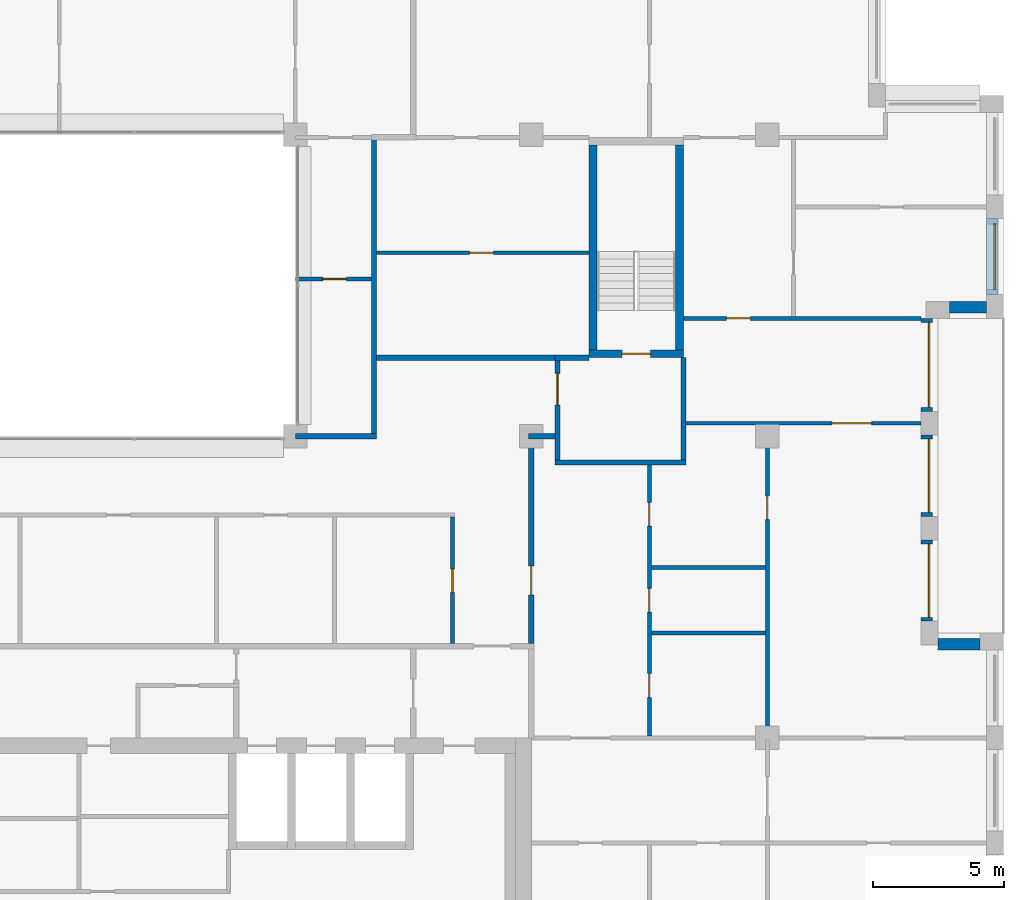
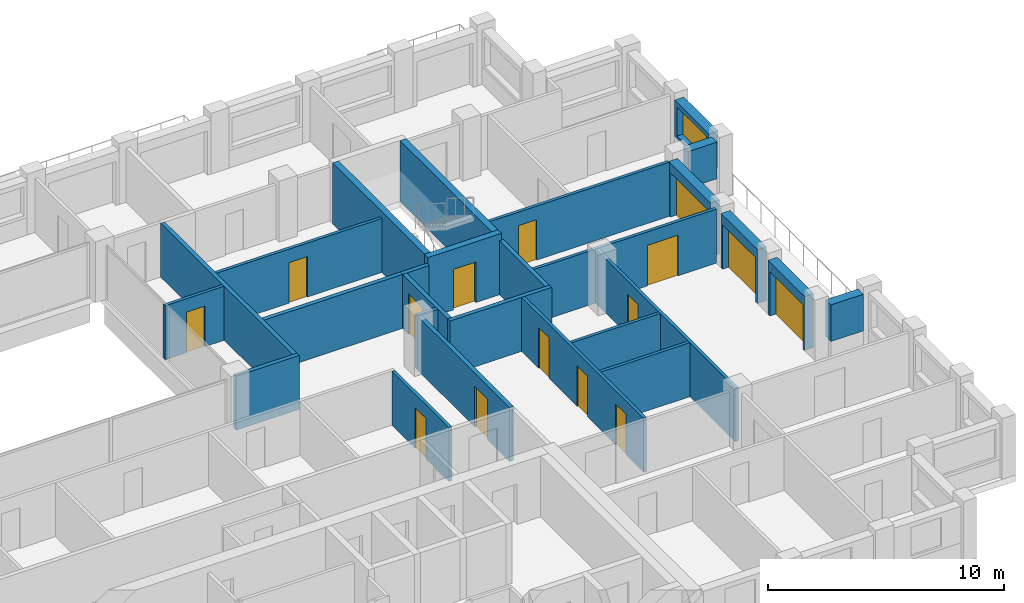
# One storey, part 12 of 15: 27 walls, 15 doors, 1 window, 16 openings.
"""IFC4 building model written with IfcOpenShell, lengths in metres."""

from ifc_helpers import new_model, si_unit, direction, frame, frame_2d, origin, place, context, subcontext, project, spatial, rectangle, extrude, material, layer, layer_set, type_object, element, fill, save


model = new_model("IFC4")

# Units and contexts
model_context = context("Model", 3, precision=1e-05, world=origin(), true_north=direction((0.0, 1.0)))
body_context = subcontext(model_context, "Body", "Model", "MODEL_VIEW")
ifc_project = project(units=[si_unit("LENGTHUNIT", "METRE"), si_unit("AREAUNIT", "SQUARE_METRE"), si_unit("VOLUMEUNIT", "CUBIC_METRE"), si_unit("PLANEANGLEUNIT", "RADIAN"), si_unit("MASSUNIT", "GRAM", prefix="KILO")], contexts=[model_context])

# Site, building, storey
site_placement = place(None, origin())
site = spatial("IfcSite", under=ifc_project, at=site_placement, CompositionType="ELEMENT")
building_placement = place(site_placement, origin())
building = spatial("IfcBuilding", under=site, at=building_placement, Name="Brigalow Station Residences", CompositionType="ELEMENT")
storey_placement = place(building_placement, frame((0.0, 0.0, 232.64990234375)))
storey = spatial("IfcBuildingStorey", under=building, at=storey_placement, Name="L67", CompositionType="ELEMENT", Elevation=232.64990234375)

# Wall
ifc_material_1 = material(Name="Clay brick masonry", Category="masonry")
ifc_layer_1 = layer(ifc_material_1, 0.449951171875)
ifc_layer_set_1 = layer_set([ifc_layer_1], Name="BRICK INFILL WALL 450")
wall_type_1 = type_object("IfcWallType", Name="BRICK INFILL WALL 450", PredefinedType="SOLIDWALL", material=ifc_layer_set_1)
wall_1_placement = place(storey_placement, frame((71.10009765625, 16.074951171875, 0.900146484375), z_axis=(0.0, 0.0, 1.0), x_axis=(-1.0, 0.0, 0.0)))
element("IfcWall", 1, at=wall_1_placement, inside=storey, type_object=wall_type_1, Name="L67/ewall/W-L67-11", PredefinedType="SOLIDWALL", context=body_context, shape_type="SweptSolid", body=[
    extrude(rectangle(XDim=1.60009765625, YDim=0.449951171875, at=frame_2d((0.800048828125, 0.0))), origin(), (0.0, 0.0, 1.0), 1.89990234375),
])

# Wall, opening, door
wall_2_placement = place(storey_placement, frame((69.074951171875, 16.949951171875, 0.0), z_axis=(0.0, 0.0, 1.0), x_axis=(0.0, 1.0, 0.0)))
wall_2 = element("IfcWall", 2, at=wall_2_placement, inside=storey, type_object=wall_type_1, Name="L67/ewall/W-L67-12", PredefinedType="SOLIDWALL", context=body_context, shape_type="SweptSolid", body=[
    extrude(rectangle(XDim=3.10009765625, YDim=0.449951171875, at=frame_2d((1.550048828125, 0.0))), origin(), (0.0, 0.0, 1.0), 2.800048828125),
])
opening_1_placement = place(wall_2_placement, frame((0.14990234375, 0.0, 0.0)))
opening_1 = element("IfcOpeningElement", 3, at=opening_1_placement, cuts=wall_2, Name="Opening D-B2800", PredefinedType="OPENING", context=body_context, shape_type="SweptSolid", body=[
    extrude(rectangle(XDim=2.800048828125, YDim=2.300048828125, at=frame_2d((1.39990234375, 1.14990234375))), frame((0.0, 0.23486328125, 0.0), z_axis=(0.0, -1.0, 0.0), x_axis=(1.0, 0.0, 0.0)), (0.0, 0.0, 1.0), 0.469970703125),
])
ifc_material_2 = material(Name="Anodised aluminium frame with double glazing", Category="aluminium")
door_type_1 = type_object("IfcDoorType", Name="BALCONY SLIDING DOOR 2800x2300", OperationType="SLIDING_TO_LEFT", PredefinedType="DOOR", material=ifc_material_2)
door_1_placement = place(opening_1_placement, origin())
door_1 = element("IfcDoor", 4, at=door_1_placement, inside=storey, type_object=door_type_1, Name="L67/balcony-door/W-L67-12", OperationType="SLIDING_TO_LEFT", OverallHeight=2.300048828125, OverallWidth=2.800048828125, PredefinedType="DOOR", context=body_context, shape_type="SweptSolid", body=[
    extrude(rectangle(XDim=2.800048828125, YDim=2.300048828125, at=frame_2d((1.39990234375, 1.14990234375))), frame((0.0, -0.06982421875, 0.0), z_axis=(0.0, -1.0, 0.0), x_axis=(1.0, 0.0, 0.0)), (0.0, 0.0, 1.0), 0.050048828125),
])
fill(opening_1, door_1)

wall_3_placement = place(storey_placement, frame((69.074951171875, 20.949951171875, 0.0), z_axis=(0.0, 0.0, 1.0), x_axis=(0.0, 1.0, 0.0)))
wall_3 = element("IfcWall", 5, at=wall_3_placement, inside=storey, type_object=wall_type_1, Name="L67/ewall/W-L67-13", PredefinedType="SOLIDWALL", context=body_context, shape_type="SweptSolid", body=[
    extrude(rectangle(XDim=3.10009765625, YDim=0.449951171875, at=frame_2d((1.550048828125, 0.0))), origin(), (0.0, 0.0, 1.0), 2.800048828125),
])
opening_2_placement = place(wall_3_placement, frame((0.14990234375, 0.0, 0.0)))
opening_2 = element("IfcOpeningElement", 6, at=opening_2_placement, cuts=wall_3, Name="Opening D-B2800", PredefinedType="OPENING", context=body_context, shape_type="SweptSolid", body=[
    extrude(rectangle(XDim=2.800048828125, YDim=2.300048828125, at=frame_2d((1.39990234375, 1.14990234375))), frame((0.0, 0.23486328125, 0.0), z_axis=(0.0, -1.0, 0.0), x_axis=(1.0, 0.0, 0.0)), (0.0, 0.0, 1.0), 0.469970703125),
])
door_2_placement = place(opening_2_placement, origin())
door_2 = element("IfcDoor", 7, at=door_2_placement, inside=storey, type_object=door_type_1, Name="L67/balcony-door/W-L67-13", OperationType="SLIDING_TO_LEFT", OverallHeight=2.300048828125, OverallWidth=2.800048828125, PredefinedType="DOOR", context=body_context, shape_type="SweptSolid", body=[
    extrude(rectangle(XDim=2.800048828125, YDim=2.300048828125, at=frame_2d((1.39990234375, 1.14990234375))), frame((0.0, -0.06982421875, 0.0), z_axis=(0.0, -1.0, 0.0), x_axis=(1.0, 0.0, 0.0)), (0.0, 0.0, 1.0), 0.050048828125),
])
fill(opening_2, door_2)

wall_4_placement = place(storey_placement, frame((69.074951171875, 24.949951171875, 0.0), z_axis=(0.0, 0.0, 1.0), x_axis=(0.0, 1.0, 0.0)))
wall_4 = element("IfcWall", 8, at=wall_4_placement, inside=storey, type_object=wall_type_1, Name="L67/ewall/W-L67-14", PredefinedType="SOLIDWALL", context=body_context, shape_type="SweptSolid", body=[
    extrude(rectangle(XDim=3.550048828125, YDim=0.449951171875, at=frame_2d((1.77490234375, 0.0))), origin(), (0.0, 0.0, 1.0), 2.800048828125),
])
opening_3_placement = place(wall_4_placement, frame((0.14990234375, 0.0, 0.0)))
opening_3 = element("IfcOpeningElement", 9, at=opening_3_placement, cuts=wall_4, Name="Opening D-B3250", PredefinedType="OPENING", context=body_context, shape_type="SweptSolid", body=[
    extrude(rectangle(XDim=3.25, YDim=2.300048828125, at=frame_2d((1.625, 1.14990234375))), frame((0.0, 0.23486328125, 0.0), z_axis=(0.0, -1.0, 0.0), x_axis=(1.0, 0.0, 0.0)), (0.0, 0.0, 1.0), 0.469970703125),
])
ifc_material_3 = material(Name="Anodised aluminium frame with double glazing", Category="aluminium")
door_type_2 = type_object("IfcDoorType", Name="BALCONY SLIDING DOOR 3250x2300", OperationType="SLIDING_TO_LEFT", PredefinedType="DOOR", material=ifc_material_3)
door_3_placement = place(opening_3_placement, origin())
door_3 = element("IfcDoor", 10, at=door_3_placement, inside=storey, type_object=door_type_2, Name="L67/balcony-door/W-L67-14", OperationType="SLIDING_TO_LEFT", OverallHeight=2.300048828125, OverallWidth=3.25, PredefinedType="DOOR", context=body_context, shape_type="SweptSolid", body=[
    extrude(rectangle(XDim=3.25, YDim=2.300048828125, at=frame_2d((1.625, 1.14990234375))), frame((0.0, -0.06982421875, 0.0), z_axis=(0.0, -1.0, 0.0), x_axis=(1.0, 0.0, 0.0)), (0.0, 0.0, 1.0), 0.050048828125),
])
fill(opening_3, door_3)

# Wall
wall_5_placement = place(storey_placement, frame((69.949951171875, 28.925048828125, 0.900146484375), z_axis=(0.0, 0.0, 1.0), x_axis=(1.0, 0.0, 0.0)))
element("IfcWall", 11, at=wall_5_placement, inside=storey, type_object=wall_type_1, Name="L67/ewall/W-L67-15", PredefinedType="SOLIDWALL", context=body_context, shape_type="SweptSolid", body=[
    extrude(rectangle(XDim=1.400146484375, YDim=0.449951171875, at=frame_2d((0.7001953125, 0.0))), origin(), (0.0, 0.0, 1.0), 1.89990234375),
])

# Wall, opening, window
wall_6_placement = place(storey_placement, frame((71.574951171875, 29.39990234375, 0.900146484375), z_axis=(0.0, 0.0, 1.0), x_axis=(0.0, 1.0, 0.0)))
wall_6 = element("IfcWall", 12, at=wall_6_placement, inside=storey, type_object=wall_type_1, Name="L67/ewall/W-L67-16", PredefinedType="SOLIDWALL", context=body_context, shape_type="SweptSolid", body=[
    extrude(rectangle(XDim=2.900146484375, YDim=0.449951171875, at=frame_2d((1.4501953125, 0.0))), origin(), (0.0, 0.0, 1.0), 1.89990234375),
])
opening_4_placement = place(wall_6_placement, frame((0.199951171875, 0.0, 0.14990234375)))
opening_4 = element("IfcOpeningElement", 13, at=opening_4_placement, cuts=wall_6, Name="Opening WT-5", PredefinedType="OPENING", context=body_context, shape_type="SweptSolid", body=[
    extrude(rectangle(XDim=2.5, YDim=1.5, at=frame_2d((1.25, 0.75))), frame((0.0, 0.23486328125, 0.0), z_axis=(0.0, -1.0, 0.0), x_axis=(1.0, 0.0, 0.0)), (0.0, 0.0, 1.0), 0.469970703125),
])
ifc_material_4 = material(Name="Anodised aluminium frame with double glazing", Category="aluminium")
window_type = type_object("IfcWindowType", Name="WINDOW 2500x1500", PartitioningType="SINGLE_PANEL", PredefinedType="WINDOW", material=ifc_material_4)
window_placement = place(opening_4_placement, origin())
window = element("IfcWindow", 14, at=window_placement, inside=storey, type_object=window_type, Name="L67/window/W-L67-16", OverallHeight=1.5, OverallWidth=2.5, PartitioningType="SINGLE_PANEL", PredefinedType="WINDOW", context=body_context, shape_type="SweptSolid", body=[
    extrude(rectangle(XDim=2.5, YDim=1.5, at=frame_2d((1.25, 0.75))), frame((0.0, -0.06494140625, 0.0), z_axis=(0.0, -1.0, 0.0), x_axis=(1.0, 0.0, 0.0)), (0.0, 0.0, 1.0), 0.06005859375),
])
fill(opening_4, window)

# Wall, opening, door
ifc_material_5 = material(Name="Concrete C50", Category="concrete")
ifc_layer_2 = layer(ifc_material_5, 0.300048828125)
ifc_layer_set_2 = layer_set([ifc_layer_2], Name="CORE SHEAR WALL 300 C50")
wall_type_2 = type_object("IfcWallType", Name="CORE SHEAR WALL 300 C50", PredefinedType="SHEAR", material=ifc_layer_set_2)
wall_7_placement = place(storey_placement, frame((56.199951171875, 27.14990234375, 0.0), z_axis=(0.0, 0.0, 1.0), x_axis=(1.0, 0.0, 0.0)))
wall_7 = element("IfcWall", 15, at=wall_7_placement, inside=storey, type_object=wall_type_2, Name="CORE WALL ST-S3-S L67", PredefinedType="SHEAR", context=body_context, shape_type="SweptSolid", body=[
    extrude(rectangle(XDim=3.60009765625, YDim=0.300048828125, at=frame_2d((1.800048828125, 0.0))), origin(), (0.0, 0.0, 1.0), 3.150146484375),
])
opening_5_placement = place(wall_7_placement, frame((1.25, 0.0, 0.0)))
opening_5 = element("IfcOpeningElement", 16, at=opening_5_placement, cuts=wall_7, Name="Opening D-5018", PredefinedType="OPENING", context=body_context, shape_type="SweptSolid", body=[
    extrude(rectangle(XDim=1.10009765625, YDim=2.10009765625, at=frame_2d((0.550048828125, 1.050048828125))), frame((0.0, 0.16015625, 0.0), z_axis=(0.0, -1.0, 0.0), x_axis=(1.0, 0.0, 0.0)), (0.0, 0.0, 1.0), 0.320068359375),
])
ifc_material_6 = material(Name="Steel fire door leaf in steel frame", Category="steel")
door_type_3 = type_object("IfcDoorType", Name="STAIR DOOR 1100 x 2100 FD60S", OperationType="SINGLE_SWING_LEFT", PredefinedType="DOOR", material=ifc_material_6)
door_4_placement = place(opening_5_placement, origin())
door_4 = element("IfcDoor", 17, at=door_4_placement, inside=storey, type_object=door_type_3, Name="D-5018", OperationType="SINGLE_SWING_LEFT", OverallHeight=2.10009765625, OverallWidth=1.10009765625, PredefinedType="DOOR", context=body_context, shape_type="SweptSolid", body=[
    extrude(rectangle(XDim=1.10009765625, YDim=2.10009765625, at=frame_2d((0.550048828125, 1.050048828125))), frame((0.0, 0.02490234375, 0.0), z_axis=(0.0, -1.0, 0.0), x_axis=(1.0, 0.0, 0.0)), (0.0, 0.0, 1.0), 0.050048828125),
])
fill(opening_5, door_4)

# Walls
for number, where, z_axis, x_axis, name in (
    (18, (56.35009765625, 27.300048828125, 0.0), (0.0, 0.0, 1.0), (0.0, 1.0, 0.0), "CORE WALL ST-S3-W L67"),
    (19, (59.64990234375, 27.300048828125, 0.0), (0.0, 0.0, 1.0), (0.0, 1.0, 0.0), "CORE WALL ST-S3-E L67"),
):
    element("IfcWall", number, at=place(storey_placement, frame(where, z_axis=z_axis, x_axis=x_axis)), inside=storey, type_object=wall_type_2, Name=name, PredefinedType="SHEAR", context=body_context, shape_type="SweptSolid", body=[
        extrude(rectangle(XDim=7.800048828125, YDim=0.300048828125, at=frame_2d((3.89990234375, 0.0))), origin(), (0.0, 0.0, 1.0), 3.150146484375),
    ])
ifc_material_7 = material(Name="Concrete blockwork", Category="masonry")
ifc_layer_3 = layer(ifc_material_7, 0.199951171875)
ifc_layer_set_3 = layer_set([ifc_layer_3], Name="FIRE RATED CORE PARTITION 200")
wall_type_3 = type_object("IfcWallType", Name="FIRE RATED CORE PARTITION 200", PredefinedType="PARTITIONING", material=ifc_layer_set_3)
wall_8_placement = place(storey_placement, frame((54.89990234375, 23.0, 0.0), z_axis=(0.0, 0.0, 1.0), x_axis=(1.0, 0.0, 0.0)))
element("IfcWall", 20, at=wall_8_placement, inside=storey, type_object=wall_type_3, Name="PW-5024", PredefinedType="PARTITIONING", context=body_context, shape_type="SweptSolid", body=[
    extrude(rectangle(XDim=5.0, YDim=0.199951171875, at=frame_2d((2.5, 0.0))), origin(), (0.0, 0.0, 1.0), 2.800048828125),
])
wall_9_placement = place(storey_placement, frame((54.89990234375, 27.0, 0.0), z_axis=(0.0, 0.0, 1.0), x_axis=(1.0, 0.0, 0.0)))
element("IfcWall", 21, at=wall_9_placement, inside=storey, type_object=wall_type_3, Name="PW-5026", PredefinedType="PARTITIONING", context=body_context, shape_type="SweptSolid", body=[
    extrude(rectangle(XDim=1.300048828125, YDim=0.199951171875, at=frame_2d((0.64990234375, 0.0))), origin(), (0.0, 0.0, 1.0), 2.800048828125),
])

# Wall, opening, door
wall_10_placement = place(storey_placement, frame((55.0, 23.10009765625, 0.0), z_axis=(0.0, 0.0, 1.0), x_axis=(0.0, 1.0, 0.0)))
wall_10 = element("IfcWall", 22, at=wall_10_placement, inside=storey, type_object=wall_type_3, Name="PW-5036", PredefinedType="PARTITIONING", context=body_context, shape_type="SweptSolid", body=[
    extrude(rectangle(XDim=3.7998046875, YDim=0.199951171875, at=frame_2d((1.89990234375, 0.0))), origin(), (0.0, 0.0, 1.0), 2.800048828125),
])
opening_6_placement = place(wall_10_placement, frame((2.10009765625, 0.0, 0.0)))
opening_6 = element("IfcOpeningElement", 23, at=opening_6_placement, cuts=wall_10, Name="Opening D-5019", PredefinedType="OPENING", context=body_context, shape_type="SweptSolid", body=[
    extrude(rectangle(XDim=1.199951171875, YDim=2.10009765625, at=frame_2d((0.60009765625, 1.050048828125))), frame((0.0, 0.10986328125, 0.0), z_axis=(0.0, -1.0, 0.0), x_axis=(1.0, 0.0, 0.0)), (0.0, 0.0, 1.0), 0.219970703125),
])
ifc_material_8 = material(Name="Steel fire door leaf in steel frame", Category="steel")
door_type_4 = type_object("IfcDoorType", Name="STAIR LOBBY DOOR 1200 x 2100 FD60S", OperationType="SINGLE_SWING_LEFT", PredefinedType="DOOR", material=ifc_material_8)
door_5_placement = place(opening_6_placement, frame((1.199951171875, 0.0, 0.0), z_axis=(0.0, 0.0, 1.0), x_axis=(-1.0, 0.0, 0.0)))
door_5 = element("IfcDoor", 24, at=door_5_placement, inside=storey, type_object=door_type_4, Name="D-5019", OperationType="SINGLE_SWING_LEFT", OverallHeight=2.10009765625, OverallWidth=1.199951171875, PredefinedType="DOOR", context=body_context, shape_type="SweptSolid", body=[
    extrude(rectangle(XDim=1.199951171875, YDim=2.10009765625, at=frame_2d((0.60009765625, 1.050048828125))), frame((0.0, 0.02490234375, 0.0), z_axis=(0.0, -1.0, 0.0), x_axis=(1.0, 0.0, 0.0)), (0.0, 0.0, 1.0), 0.050048828125),
])
fill(opening_6, door_5)

# Walls
wall_11_placement = place(storey_placement, frame((59.800048828125, 23.10009765625, 0.0), z_axis=(0.0, 0.0, 1.0), x_axis=(0.0, 1.0, 0.0)))
element("IfcWall", 25, at=wall_11_placement, inside=storey, type_object=wall_type_3, Name="PW-5037", PredefinedType="PARTITIONING", context=body_context, shape_type="SweptSolid", body=[
    extrude(rectangle(XDim=3.89990234375, YDim=0.199951171875, at=frame_2d((1.949951171875, 0.0))), origin(), (0.0, 0.0, 1.0), 2.800048828125),
])
ifc_material_9 = material(Name="Plasterboard on steel stud partition", Category="steel")
ifc_layer_4 = layer(ifc_material_9, 0.14990234375)
ifc_layer_set_4 = layer_set([ifc_layer_4], Name="FLAT PARTITION 150")
wall_type_4 = type_object("IfcWallType", Name="FLAT PARTITION 150", PredefinedType="PARTITIONING", material=ifc_layer_set_4)
wall_12_placement = place(storey_placement, frame((58.574951171875, 16.5, 0.0), z_axis=(0.0, 0.0, 1.0), x_axis=(1.0, 0.0, 0.0)))
element("IfcWall", 26, at=wall_12_placement, inside=storey, type_object=wall_type_4, Name="PW-4E10", PredefinedType="PARTITIONING", context=body_context, shape_type="SweptSolid", body=[
    extrude(rectangle(XDim=4.35009765625, YDim=0.14990234375, at=frame_2d((2.175048828125, 0.0))), origin(), (0.0, 0.0, 1.0), 2.800048828125),
])

# Wall, opening, door
wall_13_placement = place(storey_placement, frame((45.0, 30.0, 0.0), z_axis=(0.0, 0.0, 1.0), x_axis=(1.0, 0.0, 0.0)))
wall_13 = element("IfcWall", 27, at=wall_13_placement, inside=storey, type_object=wall_type_4, Name="PW-4E18", PredefinedType="PARTITIONING", context=body_context, shape_type="SweptSolid", body=[
    extrude(rectangle(XDim=2.89990234375, YDim=0.14990234375, at=frame_2d((1.449951171875, 0.0))), origin(), (0.0, 0.0, 1.0), 2.800048828125),
])
opening_7_placement = place(wall_13_placement, frame((1.050048828125, 0.0, 0.0)))
opening_7 = element("IfcOpeningElement", 28, at=opening_7_placement, cuts=wall_13, Name="Opening D-4E23", PredefinedType="OPENING", context=body_context, shape_type="SweptSolid", body=[
    extrude(rectangle(XDim=0.89990234375, YDim=2.10009765625, at=frame_2d((0.449951171875, 1.050048828125))), frame((0.0, 0.0849609375, 0.0), z_axis=(0.0, -1.0, 0.0), x_axis=(1.0, 0.0, 0.0)), (0.0, 0.0, 1.0), 0.169921875),
])
ifc_material_10 = material(Name="Solid-core timber door leaf", Category="wood")
door_type_5 = type_object("IfcDoorType", Name="INTERNAL DOOR 900 x 2100", OperationType="SINGLE_SWING_LEFT", PredefinedType="DOOR", material=ifc_material_10)
door_6_placement = place(opening_7_placement, origin())
door_6 = element("IfcDoor", 29, at=door_6_placement, inside=storey, type_object=door_type_5, Name="D-4E23", OperationType="SINGLE_SWING_RIGHT", OverallHeight=2.10009765625, OverallWidth=0.89990234375, PredefinedType="DOOR", context=body_context, shape_type="SweptSolid", body=[
    extrude(rectangle(XDim=0.89990234375, YDim=2.10009765625, at=frame_2d((0.449951171875, 1.050048828125))), frame((0.0, 0.02490234375, 0.0), z_axis=(0.0, -1.0, 0.0), x_axis=(1.0, 0.0, 0.0)), (0.0, 0.0, 1.0), 0.050048828125),
])
fill(opening_7, door_6)

wall_14_placement = place(storey_placement, frame((48.10009765625, 31.0, 0.0), z_axis=(0.0, 0.0, 1.0), x_axis=(1.0, 0.0, 0.0)))
wall_14 = element("IfcWall", 30, at=wall_14_placement, inside=storey, type_object=wall_type_4, Name="PW-4E25", PredefinedType="PARTITIONING", context=body_context, shape_type="SweptSolid", body=[
    extrude(rectangle(XDim=8.099853515625, YDim=0.14990234375, at=frame_2d((4.0498046875, 0.0))), origin(), (0.0, 0.0, 1.0), 2.800048828125),
])
opening_8_placement = place(wall_14_placement, frame((3.550048828125, 0.0, 0.0)))
opening_8 = element("IfcOpeningElement", 31, at=opening_8_placement, cuts=wall_14, Name="Opening D-4E43", PredefinedType="OPENING", context=body_context, shape_type="SweptSolid", body=[
    extrude(rectangle(XDim=0.89990234375, YDim=2.10009765625, at=frame_2d((0.449951171875, 1.050048828125))), frame((0.0, 0.0849609375, 0.0), z_axis=(0.0, -1.0, 0.0), x_axis=(1.0, 0.0, 0.0)), (0.0, 0.0, 1.0), 0.169921875),
])
door_7_placement = place(opening_8_placement, frame((0.89990234375, 0.0, 0.0), z_axis=(0.0, 0.0, 1.0), x_axis=(-1.0, 0.0, 0.0)))
door_7 = element("IfcDoor", 32, at=door_7_placement, inside=storey, type_object=door_type_5, Name="D-4E43", OperationType="SINGLE_SWING_RIGHT", OverallHeight=2.10009765625, OverallWidth=0.89990234375, PredefinedType="DOOR", context=body_context, shape_type="SweptSolid", body=[
    extrude(rectangle(XDim=0.89990234375, YDim=2.10009765625, at=frame_2d((0.449951171875, 1.050048828125))), frame((0.0, 0.02490234375, 0.0), z_axis=(0.0, -1.0, 0.0), x_axis=(1.0, 0.0, 0.0)), (0.0, 0.0, 1.0), 0.050048828125),
])
fill(opening_8, door_7)

# Wall
wall_15_placement = place(storey_placement, frame((58.574951171875, 19.0, 0.0), z_axis=(0.0, 0.0, 1.0), x_axis=(1.0, 0.0, 0.0)))
element("IfcWall", 33, at=wall_15_placement, inside=storey, type_object=wall_type_4, Name="PW-4E28", PredefinedType="PARTITIONING", context=body_context, shape_type="SweptSolid", body=[
    extrude(rectangle(XDim=4.35009765625, YDim=0.14990234375, at=frame_2d((2.175048828125, 0.0))), origin(), (0.0, 0.0, 1.0), 2.800048828125),
])

# Wall, opening, door
wall_16_placement = place(storey_placement, frame((59.89990234375, 24.5, 0.0), z_axis=(0.0, 0.0, 1.0), x_axis=(1.0, 0.0, 0.0)))
wall_16 = element("IfcWall", 34, at=wall_16_placement, inside=storey, type_object=wall_type_4, Name="PW-4E29", PredefinedType="PARTITIONING", context=body_context, shape_type="SweptSolid", body=[
    extrude(rectangle(XDim=8.9501953125, YDim=0.14990234375, at=frame_2d((4.47509765625, 0.0))), origin(), (0.0, 0.0, 1.0), 2.800048828125),
])
opening_9_placement = place(wall_16_placement, frame((5.574951171875, 0.0, 0.0)))
opening_9 = element("IfcOpeningElement", 35, at=opening_9_placement, cuts=wall_16, Name="Opening D-4E36", PredefinedType="OPENING", context=body_context, shape_type="SweptSolid", body=[
    extrude(rectangle(XDim=1.5, YDim=2.10009765625, at=frame_2d((0.75, 1.050048828125))), frame((0.0, 0.0849609375, 0.0), z_axis=(0.0, -1.0, 0.0), x_axis=(1.0, 0.0, 0.0)), (0.0, 0.0, 1.0), 0.169921875),
])
ifc_material_11 = material(Name="Solid-core timber door leaf", Category="wood")
door_type_6 = type_object("IfcDoorType", Name="INTERNAL DOUBLE DOOR 1500 x 2100", OperationType="DOUBLE_DOOR_SINGLE_SWING", PredefinedType="DOOR", material=ifc_material_11)
door_8_placement = place(opening_9_placement, origin())
door_8 = element("IfcDoor", 36, at=door_8_placement, inside=storey, type_object=door_type_6, Name="D-4E36", OperationType="DOUBLE_DOOR_SINGLE_SWING", OverallHeight=2.10009765625, OverallWidth=1.5, PredefinedType="DOOR", context=body_context, shape_type="SweptSolid", body=[
    extrude(rectangle(XDim=1.5, YDim=2.10009765625, at=frame_2d((0.75, 1.050048828125))), frame((0.0, 0.02490234375, 0.0), z_axis=(0.0, -1.0, 0.0), x_axis=(1.0, 0.0, 0.0)), (0.0, 0.0, 1.0), 0.050048828125),
])
fill(opening_9, door_8)

wall_17_placement = place(storey_placement, frame((59.800048828125, 28.5, 0.0), z_axis=(0.0, 0.0, 1.0), x_axis=(1.0, 0.0, 0.0)))
wall_17 = element("IfcWall", 37, at=wall_17_placement, inside=storey, type_object=wall_type_4, Name="PW-4E30", PredefinedType="PARTITIONING", context=body_context, shape_type="SweptSolid", body=[
    extrude(rectangle(XDim=9.050048828125, YDim=0.14990234375, at=frame_2d((4.52490234375, 0.0))), origin(), (0.0, 0.0, 1.0), 2.800048828125),
])
opening_10_placement = place(wall_17_placement, frame((1.64990234375, 0.0, 0.0)))
opening_10 = element("IfcOpeningElement", 38, at=opening_10_placement, cuts=wall_17, Name="Opening D-4E37", PredefinedType="OPENING", context=body_context, shape_type="SweptSolid", body=[
    extrude(rectangle(XDim=0.89990234375, YDim=2.10009765625, at=frame_2d((0.449951171875, 1.050048828125))), frame((0.0, 0.0849609375, 0.0), z_axis=(0.0, -1.0, 0.0), x_axis=(1.0, 0.0, 0.0)), (0.0, 0.0, 1.0), 0.169921875),
])
door_9_placement = place(opening_10_placement, frame((0.89990234375, 0.0, 0.0), z_axis=(0.0, 0.0, 1.0), x_axis=(-1.0, 0.0, 0.0)))
door_9 = element("IfcDoor", 39, at=door_9_placement, inside=storey, type_object=door_type_5, Name="D-4E37", OperationType="SINGLE_SWING_RIGHT", OverallHeight=2.10009765625, OverallWidth=0.89990234375, PredefinedType="DOOR", context=body_context, shape_type="SweptSolid", body=[
    extrude(rectangle(XDim=0.89990234375, YDim=2.10009765625, at=frame_2d((0.449951171875, 1.050048828125))), frame((0.0, 0.02490234375, 0.0), z_axis=(0.0, -1.0, 0.0), x_axis=(1.0, 0.0, 0.0)), (0.0, 0.0, 1.0), 0.050048828125),
])
fill(opening_10, door_9)

wall_18_placement = place(storey_placement, frame((51.0, 16.10009765625, 0.0), z_axis=(0.0, 0.0, 1.0), x_axis=(0.0, 1.0, 0.0)))
wall_18 = element("IfcWall", 40, at=wall_18_placement, inside=storey, type_object=wall_type_4, Name="PW-4E35", PredefinedType="PARTITIONING", context=body_context, shape_type="SweptSolid", body=[
    extrude(rectangle(XDim=4.824951171875, YDim=0.14990234375, at=frame_2d((2.41259765625, 0.0))), origin(), (0.0, 0.0, 1.0), 2.800048828125),
])
opening_11_placement = place(wall_18_placement, frame((1.949951171875, 0.0, 0.0)))
opening_11 = element("IfcOpeningElement", 41, at=opening_11_placement, cuts=wall_18, Name="Opening D-4E49", PredefinedType="OPENING", context=body_context, shape_type="SweptSolid", body=[
    extrude(rectangle(XDim=0.89990234375, YDim=2.10009765625, at=frame_2d((0.449951171875, 1.050048828125))), frame((0.0, 0.0849609375, 0.0), z_axis=(0.0, -1.0, 0.0), x_axis=(1.0, 0.0, 0.0)), (0.0, 0.0, 1.0), 0.169921875),
])
door_10_placement = place(opening_11_placement, origin())
door_10 = element("IfcDoor", 42, at=door_10_placement, inside=storey, type_object=door_type_5, Name="D-4E49", OperationType="SINGLE_SWING_LEFT", OverallHeight=2.10009765625, OverallWidth=0.89990234375, PredefinedType="DOOR", context=body_context, shape_type="SweptSolid", body=[
    extrude(rectangle(XDim=0.89990234375, YDim=2.10009765625, at=frame_2d((0.449951171875, 1.050048828125))), frame((0.0, 0.02490234375, 0.0), z_axis=(0.0, -1.0, 0.0), x_axis=(1.0, 0.0, 0.0)), (0.0, 0.0, 1.0), 0.050048828125),
])
fill(opening_11, door_10)

# Wall, openings, doors
wall_19_placement = place(storey_placement, frame((58.5, 12.574951171875, 0.0), z_axis=(0.0, 0.0, 1.0), x_axis=(0.0, 1.0, 0.0)))
wall_19 = element("IfcWall", 43, at=wall_19_placement, inside=storey, type_object=wall_type_4, Name="PW-4E47", PredefinedType="PARTITIONING", context=body_context, shape_type="SweptSolid", body=[
    extrude(rectangle(XDim=10.324951171875, YDim=0.14990234375, at=frame_2d((5.16259765625, 0.0))), origin(), (0.0, 0.0, 1.0), 2.800048828125),
])
opening_12_placement = place(wall_19_placement, frame((1.47509765625, 0.0, 0.0)))
opening_12 = element("IfcOpeningElement", 44, at=opening_12_placement, cuts=wall_19, Name="Opening D-4E26", PredefinedType="OPENING", context=body_context, shape_type="SweptSolid", body=[
    extrude(rectangle(XDim=0.89990234375, YDim=2.10009765625, at=frame_2d((0.449951171875, 1.050048828125))), frame((0.0, 0.0849609375, 0.0), z_axis=(0.0, -1.0, 0.0), x_axis=(1.0, 0.0, 0.0)), (0.0, 0.0, 1.0), 0.169921875),
])
opening_13_placement = place(wall_19_placement, frame((4.72509765625, 0.0, 0.0)))
opening_13 = element("IfcOpeningElement", 45, at=opening_13_placement, cuts=wall_19, Name="Opening D-4E27", PredefinedType="OPENING", context=body_context, shape_type="SweptSolid", body=[
    extrude(rectangle(XDim=0.89990234375, YDim=2.10009765625, at=frame_2d((0.449951171875, 1.050048828125))), frame((0.0, 0.0849609375, 0.0), z_axis=(0.0, -1.0, 0.0), x_axis=(1.0, 0.0, 0.0)), (0.0, 0.0, 1.0), 0.169921875),
])
opening_14_placement = place(wall_19_placement, frame((8.0, 0.0, 0.0)))
opening_14 = element("IfcOpeningElement", 46, at=opening_14_placement, cuts=wall_19, Name="Opening D-4E34", PredefinedType="OPENING", context=body_context, shape_type="SweptSolid", body=[
    extrude(rectangle(XDim=0.89990234375, YDim=2.10009765625, at=frame_2d((0.449951171875, 1.050048828125))), frame((0.0, 0.0849609375, 0.0), z_axis=(0.0, -1.0, 0.0), x_axis=(1.0, 0.0, 0.0)), (0.0, 0.0, 1.0), 0.169921875),
])
door_11_placement = place(opening_12_placement, frame((0.89990234375, 0.0, 0.0), z_axis=(0.0, 0.0, 1.0), x_axis=(-1.0, 0.0, 0.0)))
door_11 = element("IfcDoor", 47, at=door_11_placement, inside=storey, type_object=door_type_5, Name="D-4E26", OperationType="SINGLE_SWING_RIGHT", OverallHeight=2.10009765625, OverallWidth=0.89990234375, PredefinedType="DOOR", context=body_context, shape_type="SweptSolid", body=[
    extrude(rectangle(XDim=0.89990234375, YDim=2.10009765625, at=frame_2d((0.449951171875, 1.050048828125))), frame((0.0, 0.02490234375, 0.0), z_axis=(0.0, -1.0, 0.0), x_axis=(1.0, 0.0, 0.0)), (0.0, 0.0, 1.0), 0.050048828125),
])
fill(opening_12, door_11)
door_12_placement = place(opening_13_placement, frame((0.89990234375, 0.0, 0.0), z_axis=(0.0, 0.0, 1.0), x_axis=(-1.0, 0.0, 0.0)))
door_12 = element("IfcDoor", 48, at=door_12_placement, inside=storey, type_object=door_type_5, Name="D-4E27", OperationType="SINGLE_SWING_LEFT", OverallHeight=2.10009765625, OverallWidth=0.89990234375, PredefinedType="DOOR", context=body_context, shape_type="SweptSolid", body=[
    extrude(rectangle(XDim=0.89990234375, YDim=2.10009765625, at=frame_2d((0.449951171875, 1.050048828125))), frame((0.0, 0.02490234375, 0.0), z_axis=(0.0, -1.0, 0.0), x_axis=(1.0, 0.0, 0.0)), (0.0, 0.0, 1.0), 0.050048828125),
])
fill(opening_13, door_12)
door_13_placement = place(opening_14_placement, frame((0.89990234375, 0.0, 0.0), z_axis=(0.0, 0.0, 1.0), x_axis=(-1.0, 0.0, 0.0)))
door_13 = element("IfcDoor", 49, at=door_13_placement, inside=storey, type_object=door_type_5, Name="D-4E34", OperationType="SINGLE_SWING_LEFT", OverallHeight=2.10009765625, OverallWidth=0.89990234375, PredefinedType="DOOR", context=body_context, shape_type="SweptSolid", body=[
    extrude(rectangle(XDim=0.89990234375, YDim=2.10009765625, at=frame_2d((0.449951171875, 1.050048828125))), frame((0.0, 0.02490234375, 0.0), z_axis=(0.0, -1.0, 0.0), x_axis=(1.0, 0.0, 0.0)), (0.0, 0.0, 1.0), 0.050048828125),
])
fill(opening_14, door_13)

# Wall, opening, door
wall_20_placement = place(storey_placement, frame((63.0, 12.574951171875, 0.0), z_axis=(0.0, 0.0, 1.0), x_axis=(0.0, 1.0, 0.0)))
wall_20 = element("IfcWall", 50, at=wall_20_placement, inside=storey, type_object=wall_type_4, Name="PW-4E51", PredefinedType="PARTITIONING", context=body_context, shape_type="SweptSolid", body=[
    extrude(rectangle(XDim=11.85009765625, YDim=0.14990234375, at=frame_2d((5.925048828125, 0.0))), origin(), (0.0, 0.0, 1.0), 2.800048828125),
])
opening_15_placement = place(wall_20_placement, frame((8.25, 0.0, 0.0)))
opening_15 = element("IfcOpeningElement", 51, at=opening_15_placement, cuts=wall_20, Name="Opening D-4E35", PredefinedType="OPENING", context=body_context, shape_type="SweptSolid", body=[
    extrude(rectangle(XDim=0.89990234375, YDim=2.10009765625, at=frame_2d((0.449951171875, 1.050048828125))), frame((0.0, 0.0849609375, 0.0), z_axis=(0.0, -1.0, 0.0), x_axis=(1.0, 0.0, 0.0)), (0.0, 0.0, 1.0), 0.169921875),
])
door_14_placement = place(opening_15_placement, origin())
door_14 = element("IfcDoor", 52, at=door_14_placement, inside=storey, type_object=door_type_5, Name="D-4E35", OperationType="SINGLE_SWING_LEFT", OverallHeight=2.10009765625, OverallWidth=0.89990234375, PredefinedType="DOOR", context=body_context, shape_type="SweptSolid", body=[
    extrude(rectangle(XDim=0.89990234375, YDim=2.10009765625, at=frame_2d((0.449951171875, 1.050048828125))), frame((0.0, 0.02490234375, 0.0), z_axis=(0.0, -1.0, 0.0), x_axis=(1.0, 0.0, 0.0)), (0.0, 0.0, 1.0), 0.050048828125),
])
fill(opening_15, door_14)

# Walls
ifc_material_12 = material(Name="Plasterboard on steel stud partition", Category="steel")
ifc_layer_5 = layer(ifc_material_12, 0.199951171875)
ifc_layer_set_5 = layer_set([ifc_layer_5], Name="PARTY AND CORRIDOR WALL 200")
wall_type_5 = type_object("IfcWallType", Name="PARTY AND CORRIDOR WALL 200", PredefinedType="PARTITIONING", material=ifc_layer_set_5)
wall_21_placement = place(storey_placement, frame((45.0, 24.0, 0.0), z_axis=(0.0, 0.0, 1.0), x_axis=(1.0, 0.0, 0.0)))
element("IfcWall", 53, at=wall_21_placement, inside=storey, type_object=wall_type_5, Name="PW-4E03", PredefinedType="PARTITIONING", context=body_context, shape_type="SweptSolid", body=[
    extrude(rectangle(XDim=3.10009765625, YDim=0.199951171875, at=frame_2d((1.550048828125, 0.0))), origin(), (0.0, 0.0, 1.0), 2.800048828125),
])
wall_22_placement = place(storey_placement, frame((53.89990234375, 24.0, 0.0), z_axis=(0.0, 0.0, 1.0), x_axis=(1.0, 0.0, 0.0)))
element("IfcWall", 54, at=wall_22_placement, inside=storey, type_object=wall_type_5, Name="PW-4E04", PredefinedType="PARTITIONING", context=body_context, shape_type="SweptSolid", body=[
    extrude(rectangle(XDim=1.0, YDim=0.199951171875, at=frame_2d((0.5, 0.0))), origin(), (0.0, 0.0, 1.0), 2.800048828125),
])
wall_23_placement = place(storey_placement, frame((48.10009765625, 27.0, 0.0), z_axis=(0.0, 0.0, 1.0), x_axis=(1.0, 0.0, 0.0)))
element("IfcWall", 55, at=wall_23_placement, inside=storey, type_object=wall_type_5, Name="PW-4E07", PredefinedType="PARTITIONING", context=body_context, shape_type="SweptSolid", body=[
    extrude(rectangle(XDim=6.7998046875, YDim=0.199951171875, at=frame_2d((3.39990234375, 0.0))), origin(), (0.0, 0.0, 1.0), 2.800048828125),
])

# Wall, opening, door
wall_24_placement = place(storey_placement, frame((54.0, 16.10009765625, 0.0), z_axis=(0.0, 0.0, 1.0), x_axis=(0.0, 1.0, 0.0)))
wall_24 = element("IfcWall", 56, at=wall_24_placement, inside=storey, type_object=wall_type_5, Name="PW-4E33", PredefinedType="PARTITIONING", context=body_context, shape_type="SweptSolid", body=[
    extrude(rectangle(XDim=7.7998046875, YDim=0.199951171875, at=frame_2d((3.89990234375, 0.0))), origin(), (0.0, 0.0, 1.0), 2.800048828125),
])
opening_16_placement = place(wall_24_placement, frame((1.85009765625, 0.0, 0.0)))
opening_16 = element("IfcOpeningElement", 57, at=opening_16_placement, cuts=wall_24, Name="Opening D-4E24", PredefinedType="OPENING", context=body_context, shape_type="SweptSolid", body=[
    extrude(rectangle(XDim=1.10009765625, YDim=2.10009765625, at=frame_2d((0.550048828125, 1.050048828125))), frame((0.0, 0.10986328125, 0.0), z_axis=(0.0, -1.0, 0.0), x_axis=(1.0, 0.0, 0.0)), (0.0, 0.0, 1.0), 0.219970703125),
])
ifc_material_13 = material(Name="Solid-core timber door leaf", Category="wood")
door_type_7 = type_object("IfcDoorType", Name="FLAT ENTRANCE DOOR 1100 x 2100 FRL -/60/30", OperationType="SINGLE_SWING_LEFT", PredefinedType="DOOR", material=ifc_material_13)
door_15_placement = place(opening_16_placement, frame((1.10009765625, 0.0, 0.0), z_axis=(0.0, 0.0, 1.0), x_axis=(-1.0, 0.0, 0.0)))
door_15 = element("IfcDoor", 58, at=door_15_placement, inside=storey, type_object=door_type_7, Name="D-4E24", OperationType="SINGLE_SWING_LEFT", OverallHeight=2.10009765625, OverallWidth=1.10009765625, PredefinedType="DOOR", context=body_context, shape_type="SweptSolid", body=[
    extrude(rectangle(XDim=1.10009765625, YDim=2.10009765625, at=frame_2d((0.550048828125, 1.050048828125))), frame((0.0, 0.02490234375, 0.0), z_axis=(0.0, -1.0, 0.0), x_axis=(1.0, 0.0, 0.0)), (0.0, 0.0, 1.0), 0.050048828125),
])
fill(opening_16, door_15)

# Wall
wall_25_placement = place(storey_placement, frame((48.0, 24.10009765625, 0.0), z_axis=(0.0, 0.0, 1.0), x_axis=(0.0, 1.0, 0.0)))
element("IfcWall", 59, at=wall_25_placement, inside=storey, type_object=wall_type_5, Name="PW-4E38", PredefinedType="PARTITIONING", context=body_context, shape_type="SweptSolid", body=[
    extrude(rectangle(XDim=11.224853515625, YDim=0.199951171875, at=frame_2d((5.6123046875, 0.0))), origin(), (0.0, 0.0, 1.0), 2.800048828125),
])

save(model, "model.ifc")
